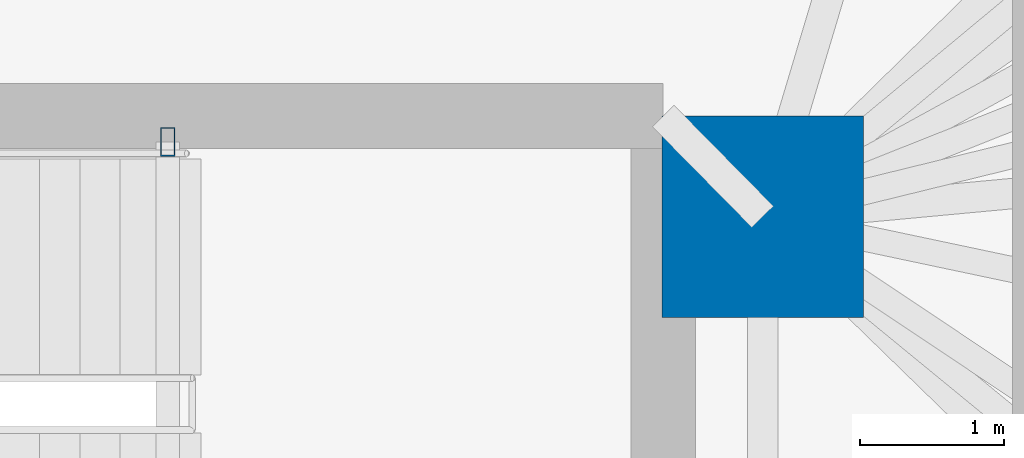
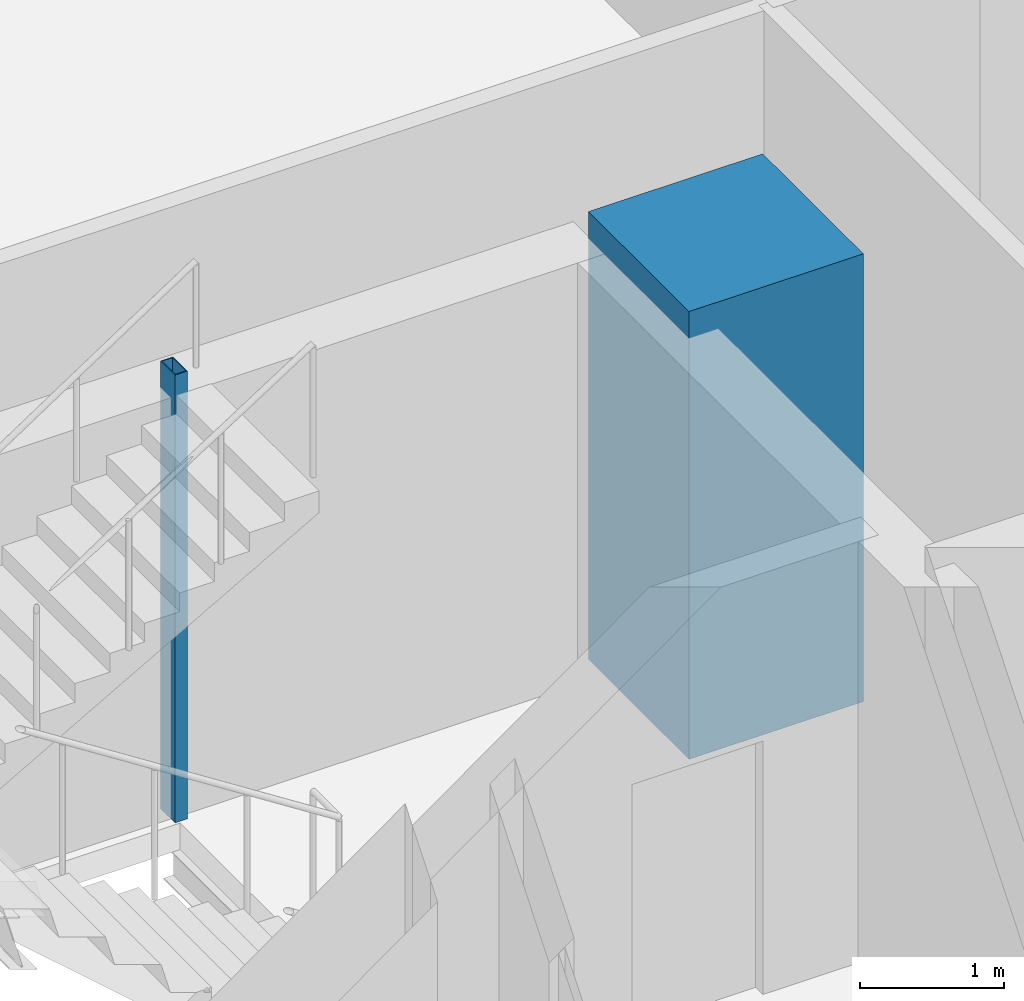
# One storey, part 4 of 16: 2 columns.
"""IFC4 building model written with IfcOpenShell, lengths in metres."""

import ifcopenshell
import ifcopenshell.guid

model = None  # the IFC model being written
_history = None  # IfcOwnerHistory: only IFC2X3 demands one
_inside = {}  # id of a spatial element -> (the spatial element, [elements in it])
_under = {}  # id of a project, library or spatial element -> (it, [spatial elements below it])
_declared = {}  # id of a project -> (the project, [libraries it declares])
_typed = {}  # id of a type object -> (the type object, [elements of that type])
_made_of = {}  # id of a material, layer set ... -> (it, [elements and type objects made of it])


def new_model(schema):
    """Start an empty IFC model of exactly this schema.

    Asked for "IFC4X3", IfcOpenShell would pick the latest addendum, in which some entities
    have other attributes; the version numbers below select the first issue.
    IFC2X3 requires an IfcOwnerHistory on every rooted entity: one is made here for all.
    """
    global model, _history
    if schema == "IFC4X3":
        model = ifcopenshell.file(schema_version=(4, 3, 0, 0))
    else:
        model = ifcopenshell.file(schema=schema)
    _inside.clear()
    _under.clear()
    _declared.clear()
    _typed.clear()
    _made_of.clear()
    _history = None
    if model.schema == "IFC2X3":
        org = make("IfcOrganization", Name="unknown")
        user = make(
            "IfcPersonAndOrganization",
            ThePerson=make("IfcPerson", FamilyName="unknown"),
            TheOrganization=org,
        )
        app = make(
            "IfcApplication",
            ApplicationDeveloper=org,
            Version="unknown",
            ApplicationFullName="unknown",
            ApplicationIdentifier="unknown",
        )
        _history = make(
            "IfcOwnerHistory",
            OwningUser=user,
            OwningApplication=app,
            ChangeAction="ADDED",
            CreationDate=0,
        )
    return model


def make(cls, **values):
    """One entity of the class cls with the attributes given. An attribute that is None is left unset."""
    return model.create_entity(
        cls, **{name: value for name, value in values.items() if value is not None}
    )


def rooted(cls, **values):
    """An entity with a GlobalId (a new one), such as an element, a storey or a relation."""
    return make(cls, GlobalId=ifcopenshell.guid.new(), OwnerHistory=_history, **values)


def si_unit(unit_type, name, prefix=None):
    """IfcSIUnit, for example si_unit("LENGTHUNIT", "METRE", prefix="MILLI")."""
    return make("IfcSIUnit", UnitType=unit_type, Prefix=prefix, Name=name)


def assignment(units):
    """IfcUnitAssignment: the units of a project."""
    return None if units is None else make("IfcUnitAssignment", Units=units)


def point(xyz):
    """IfcCartesianPoint."""
    return None if xyz is None else make("IfcCartesianPoint", Coordinates=xyz)


def direction(xyz):
    """IfcDirection."""
    return None if xyz is None else make("IfcDirection", DirectionRatios=xyz)


def frame(location, z_axis=None, x_axis=None):
    """IfcAxis2Placement3D, a coordinate frame: its origin and axes. An axis left out is left unset."""
    return make(
        "IfcAxis2Placement3D",
        Location=point(location),
        Axis=direction(z_axis),
        RefDirection=direction(x_axis),
    )


def frame_2d(location, x_axis=None):
    """IfcAxis2Placement2D, a coordinate frame in the plane: its origin and x axis."""
    return make(
        "IfcAxis2Placement2D", Location=point(location), RefDirection=direction(x_axis)
    )


def origin():
    """The frame at (0, 0, 0) with its axes left unset."""
    return frame((0.0, 0.0, 0.0))


def origin_2d():
    """The frame at (0, 0) in the plane with its x axis left unset."""
    return frame_2d((0.0, 0.0))


def place(relative_to, where):
    """IfcLocalPlacement: puts the frame where relative to a parent placement (None: the world)."""
    return make(
        "IfcLocalPlacement", PlacementRelTo=relative_to, RelativePlacement=where
    )


def context(
    kind, dimensions, precision=None, world=None, true_north=None, identifier=None
):
    """IfcGeometricRepresentationContext, for example the 3D "Model" context."""
    return make(
        "IfcGeometricRepresentationContext",
        ContextIdentifier=identifier,
        ContextType=kind,
        CoordinateSpaceDimension=dimensions,
        Precision=precision,
        WorldCoordinateSystem=world,
        TrueNorth=true_north,
    )


def subcontext(parent, identifier, kind, view, scale=None):
    """IfcGeometricRepresentationSubContext, for example "Body" below "Model"."""
    return make(
        "IfcGeometricRepresentationSubContext",
        ContextIdentifier=identifier,
        ContextType=kind,
        ParentContext=parent,
        TargetScale=scale,
        TargetView=view,
    )


def project(units=None, contexts=None):
    """IfcProject with its units and contexts."""
    return rooted(
        "IfcProject",
        Name="project",
        RepresentationContexts=contexts,
        UnitsInContext=assignment(units),
    )


def spatial(cls, under=None, at=None, **own):
    """A site, building, storey or space (cls), placed at a placement, below another one or the project."""
    s = rooted(cls, ObjectPlacement=at, **own)
    if under is not None:
        _under.setdefault(under.id(), (under, []))[1].append(s)
    return s


def profile(cls, at=None, kind="AREA", **sizes):
    """A parametric profile (cls). Its sizes go by their IFC names, for example OverallWidth=200.0."""
    return make(cls, ProfileType=kind, Position=at, **sizes)


def rectangle(**sizes):
    """IfcRectangleProfileDef."""
    return profile("IfcRectangleProfileDef", **sizes)


def hollow_rectangle(**sizes):
    """IfcRectangleHollowProfileDef."""
    return profile("IfcRectangleHollowProfileDef", **sizes)


def extrude(swept, where, along, depth):
    """IfcExtrudedAreaSolid: the profile swept, set in the frame where, extruded along a direction by depth."""
    return make(
        "IfcExtrudedAreaSolid",
        SweptArea=swept,
        Position=where,
        ExtrudedDirection=direction(along),
        Depth=depth,
    )


def shape(context_of_items, identifier, shape_type, items):
    """IfcShapeRepresentation: the items that make up one representation, for example the "Body"."""
    return make(
        "IfcShapeRepresentation",
        ContextOfItems=context_of_items,
        RepresentationIdentifier=identifier,
        RepresentationType=shape_type,
        Items=items,
    )


def material(Name=None, Category=None):
    """IfcMaterial."""
    return make("IfcMaterial", Name=Name, Category=Category)


def material_profile(
    of_material, cross_section, Name=None, Category=None, Priority=None
):
    """IfcMaterialProfile: a cross section and its material."""
    return make(
        "IfcMaterialProfile",
        Name=Name,
        Material=of_material,
        Profile=cross_section,
        Priority=Priority,
        Category=Category,
    )


def profile_set(profiles, Name=None, composite=None):
    """IfcMaterialProfileSet."""
    return make(
        "IfcMaterialProfileSet",
        Name=Name,
        MaterialProfiles=profiles,
        CompositeProfile=composite,
    )


def made_of(thing, what):
    """Note that an element or type object is made of a material, layer set ...; save() writes the relation."""
    if what is not None:
        _made_of.setdefault(what.id(), (what, []))[1].append(thing)
    return thing


def type_object(cls, material=None, **own):
    """A type object (cls), such as IfcWallType, which elements share."""
    return made_of(rooted(cls, **own), material)


def element(
    cls,
    number,
    at=None,
    inside=None,
    cuts=None,
    type_object=None,
    material=None,
    context=None,
    identifier="Body",
    shape_type=None,
    held_by="IfcProductDefinitionShape",
    body=None,
    shapes=None,
    **own,
):
    """One element of the class cls, such as IfcWall. Its Tag is "e" and its number.

    at: its placement. inside: the storey or other place that contains it. cuts: it is an
    opening in that element (IfcRelVoidsElement). A single representation is given by context,
    identifier, shape_type and body (its items); several are given by shapes. held_by: the class
    of the entity that holds the representations. save() writes the other relations.
    """
    e = rooted(cls, Tag="e%d" % number, ObjectPlacement=at, **own)
    if body is not None:
        shapes = [shape(context, identifier, shape_type, body)]
    if shapes is not None:
        e.Representation = make(held_by, Representations=shapes)
    if inside is not None:
        _inside.setdefault(inside.id(), (inside, []))[1].append(e)
    if cuts is not None:
        rooted(
            "IfcRelVoidsElement", RelatingBuildingElement=cuts, RelatedOpeningElement=e
        )
    if type_object is not None:
        _typed.setdefault(type_object.id(), (type_object, []))[1].append(e)
    return made_of(e, material)


def aggregate(whole, parts):
    """IfcRelAggregates: a whole, such as a stair, and the parts it consists of."""
    return rooted("IfcRelAggregates", RelatingObject=whole, RelatedObjects=parts)


def save(model, path):
    """Write the relations noted so far, then the file.

    IfcRelAggregates (storeys below a building ...), IfcRelContainedInSpatialStructure (elements
    in a storey), IfcRelDefinesByType, IfcRelAssociatesMaterial and IfcRelDeclares: one each for
    every whole, place, type object, material and project.
    """
    for whole, parts in _under.values():
        aggregate(whole, parts)
    for where, things in _inside.values():
        rooted(
            "IfcRelContainedInSpatialStructure",
            RelatedElements=things,
            RelatingStructure=where,
        )
    for kind, things in _typed.values():
        rooted("IfcRelDefinesByType", RelatedObjects=things, RelatingType=kind)
    for what, things in _made_of.values():
        rooted("IfcRelAssociatesMaterial", RelatedObjects=things, RelatingMaterial=what)
    for by, libraries in _declared.values():
        rooted("IfcRelDeclares", RelatingContext=by, RelatedDefinitions=libraries)
    model.write(path)


model = new_model("IFC4")

# Units and contexts
model_context = context("Model", 3, precision=1e-05, world=origin(), true_north=direction((0.0, 1.0)))
body_context = subcontext(model_context, "Body", "Model", "MODEL_VIEW")
ifc_project = project(units=[si_unit("LENGTHUNIT", "METRE"), si_unit("AREAUNIT", "SQUARE_METRE"), si_unit("VOLUMEUNIT", "CUBIC_METRE"), si_unit("PLANEANGLEUNIT", "RADIAN"), si_unit("MASSUNIT", "GRAM", prefix="KILO")], contexts=[model_context])

# Site, building, storey
site_placement = place(None, origin())
site = spatial("IfcSite", under=ifc_project, at=site_placement, CompositionType="ELEMENT")
building_placement = place(site_placement, origin())
building = spatial("IfcBuilding", under=site, at=building_placement, Name="Menara Jurai Vektor", CompositionType="ELEMENT")
storey_placement = place(building_placement, frame((0.0, 0.0, 59.800048828125)))
storey = spatial("IfcBuildingStorey", under=building, at=storey_placement, Name="L14", CompositionType="ELEMENT", Elevation=59.800048828125)

# Columns
ifc_material_1 = material(Name="Concrete C60/75", Category="concrete")
ifc_material_profile_1 = material_profile(ifc_material_1, rectangle(XDim=1.39990234375, YDim=1.39990234375, at=origin_2d()), Name="RC 1400x1400")
ifc_profile_set_1 = profile_set([ifc_material_profile_1], Name="Concrete C60/75")
column_type_1 = type_object("IfcColumnType", Name="STR-COL-RC1400", PredefinedType="COLUMN", material=ifc_profile_set_1)
column_1_placement = place(storey_placement, frame((15.25, 4.89990234375, 0.0), z_axis=(0.0, 0.0, 1.0), x_axis=(1.0, 0.0, 0.0)))
element("IfcColumn", 1, at=column_1_placement, inside=storey, type_object=column_type_1, Name="Core Spine Column CE-NE L14", PredefinedType="COLUMN", context=body_context, shape_type="SweptSolid", body=[
    extrude(rectangle(XDim=1.39990234375, YDim=1.39990234375, at=origin_2d()), origin(), (0.0, 0.0, 1.0), 3.800048828125),
])
ifc_material_2 = material(Name="Steel S355", Category="steel")
ifc_material_profile_2 = material_profile(ifc_material_2, hollow_rectangle(XDim=0.10009765625, YDim=0.199951171875, WallThickness=0.008056640625, at=origin_2d()), Name="RHS 200x100x8")
ifc_profile_set_2 = profile_set([ifc_material_profile_2], Name="Steel S355")
column_type_2 = type_object("IfcColumnType", Name="STR-COL-STAIR", PredefinedType="COLUMN", material=ifc_profile_set_2)
column_2_placement = place(storey_placement, frame((11.1201171875, 5.419921875, 0.0), z_axis=(0.0, 0.0, 1.0), x_axis=(1.0, 0.0, 0.0)))
element("IfcColumn", 2, at=column_2_placement, inside=storey, type_object=column_type_2, Name="Stair Well Header Column ST2-P2 L14", PredefinedType="COLUMN", context=body_context, shape_type="SweptSolid", body=[
    extrude(hollow_rectangle(XDim=0.10009765625, YDim=0.199951171875, WallThickness=0.008056640625, at=origin_2d()), origin(), (0.0, 0.0, 1.0), 3.800048828125),
])

save(model, "model.ifc")
